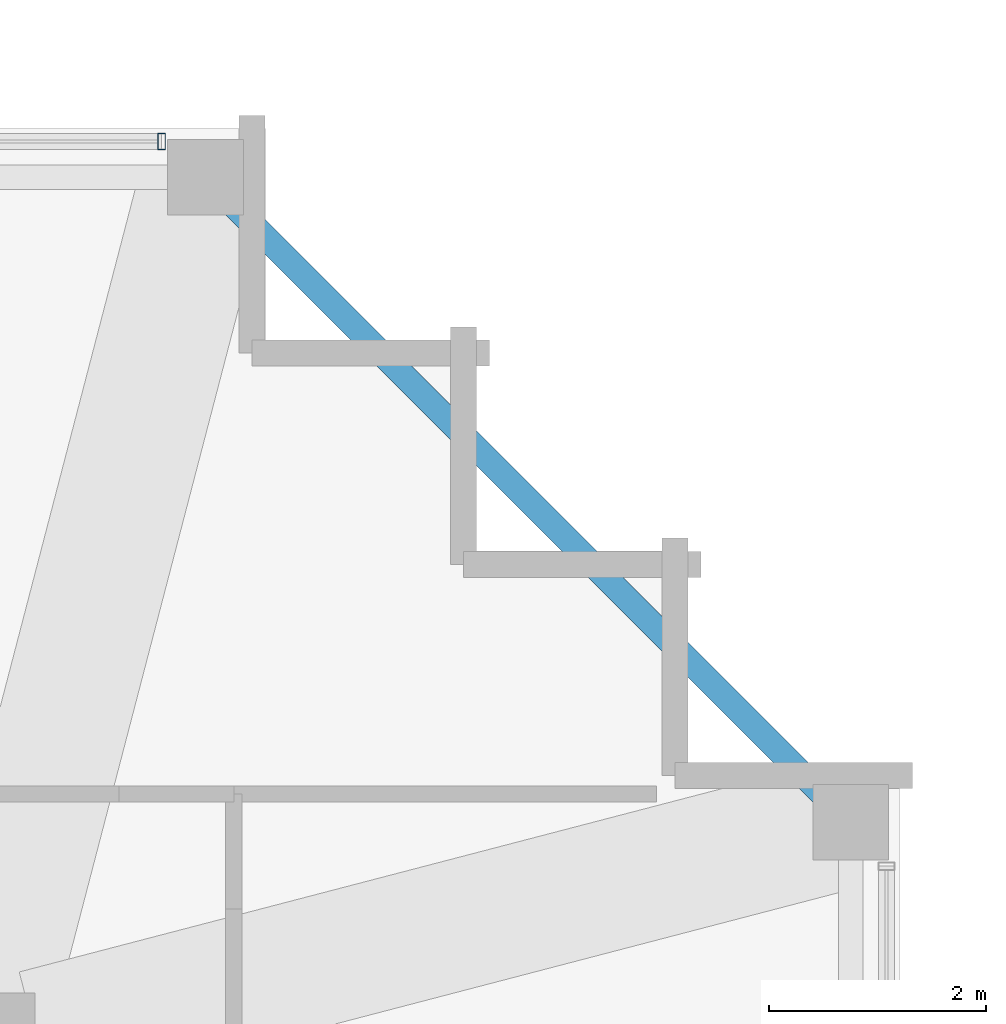
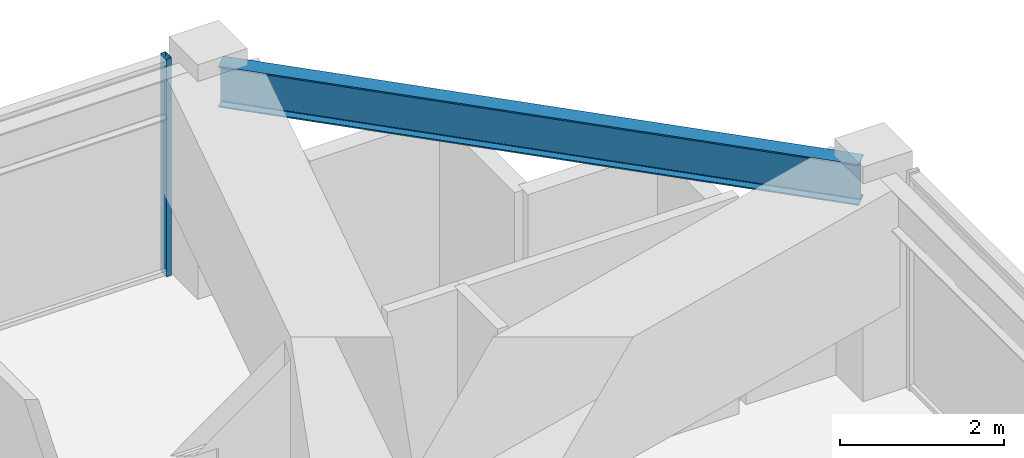
# One storey, part 18 of 31: 1 beam, 1 member, 1 element without a shape of its own.
"""IFC4 building model written with IfcOpenShell, lengths in metres."""

from ifc_helpers import new_model, si_unit, direction, frame, origin, origin_2d, place, context, subcontext, project, spatial, hollow_rectangle, i_section, extrude, material, material_profile, profile_set, type_object, element, aggregate, save


model = new_model("IFC4")

# Units and contexts
model_context = context("Model", 3, precision=1e-05, world=origin(), true_north=direction((0.0, 1.0)))
body_context = subcontext(model_context, "Body", "Model", "MODEL_VIEW")
ifc_project = project(units=[si_unit("LENGTHUNIT", "METRE"), si_unit("AREAUNIT", "SQUARE_METRE"), si_unit("VOLUMEUNIT", "CUBIC_METRE"), si_unit("PLANEANGLEUNIT", "RADIAN"), si_unit("MASSUNIT", "GRAM", prefix="KILO")], contexts=[model_context])

# Site, building, storey
site_placement = place(None, origin())
site = spatial("IfcSite", under=ifc_project, at=site_placement, CompositionType="ELEMENT")
building_placement = place(site_placement, origin())
building = spatial("IfcBuilding", under=site, at=building_placement, Name="Kolvaren Belvedere", CompositionType="ELEMENT")
storey_placement = place(building_placement, frame((0.0, 0.0, 237.39990234375)))
storey = spatial("IfcBuildingStorey", under=building, at=storey_placement, Name="L69", CompositionType="ELEMENT", Elevation=237.39990234375)

# Beam
ifc_material_1 = material(Name="Structural steel ASTM A992 Grade 50", Category="steel")
ifc_material_profile_1 = material_profile(ifc_material_1, i_section(OverallWidth=0.22900390625, OverallDepth=0.612060546875, WebThickness=0.011962890625, FlangeThickness=0.01953125, FilletRadius=0.01806640625, at=origin_2d()), Name="W24X84")
ifc_profile_set_1 = profile_set([ifc_material_profile_1], Name="Structural steel ASTM A992 Grade 50")
beam_type = type_object("IfcBeamType", Name="BM-SPAN-W24X84", PredefinedType="SPANDREL", material=ifc_profile_set_1)
beam_placement = place(storey_placement, frame((17.838623046875, 12.111328125, 2.944091796875), z_axis=(-0.707106781187, 0.707106781187, 0.0), x_axis=(-0.707106781187, -0.707106781187, 0.0)))
element("IfcBeam", 1, at=beam_placement, inside=storey, type_object=beam_type, Name="L69 Perimeter Spandrel E4-N4", PredefinedType="SPANDREL", context=body_context, shape_type="SweptSolid", body=[
    extrude(i_section(OverallWidth=0.22900390625, OverallDepth=0.612060546875, WebThickness=0.011962890625, FlangeThickness=0.01953125, FilletRadius=0.01806640625, at=origin_2d()), origin(), (0.0, 0.0, 1.0), 8.099609375),
])

# Curtain wall, member
ifc_material_2 = material(Name="Anodised pale-metal aluminium AA 6063-T6", Category="aluminium")
curtain_wall_type = type_object("IfcCurtainWallType", Name="CW-Z5-HIGH", PredefinedType="NOTDEFINED", material=ifc_material_2)
curtain_wall_placement = place(storey_placement, origin())
curtain_wall = element("IfcCurtainWall", 2, at=curtain_wall_placement, inside=storey, type_object=curtain_wall_type, Name="L69 Unitised Curtain Wall FCW-L69-N-B3", PredefinedType="NOTDEFINED")
ifc_material_3 = material(Name="Anodised pale-metal aluminium AA 6063-T6", Category="aluminium")
ifc_material_profile_2 = material_profile(ifc_material_3, hollow_rectangle(XDim=0.070068359375, YDim=0.14990234375, WallThickness=0.004150390625, at=origin_2d()), Name="ALU-MUL-150X70")
ifc_profile_set_2 = profile_set([ifc_material_profile_2], Name="Anodised pale-metal aluminium AA 6063-T6")
member_type = type_object("IfcMemberType", Name="CW-MUL-150", PredefinedType="MULLION", material=ifc_profile_set_2)
member_placement = place(storey_placement, frame((11.594970703125, 18.280029296875, 0.0), z_axis=(0.0, 0.0, 1.0), x_axis=(1.0, 0.0, 0.0)))
member = element("IfcMember", 3, at=member_placement, type_object=member_type, Name="FCW-L69-N-B3 Unitised Mullion 3", PredefinedType="MULLION", context=body_context, shape_type="SweptSolid", body=[
    extrude(hollow_rectangle(XDim=0.070068359375, YDim=0.14990234375, WallThickness=0.004150390625, at=origin_2d()), origin(), (0.0, 0.0, 1.0), 3.25),
])
aggregate(curtain_wall, [member])

save(model, "model.ifc")
